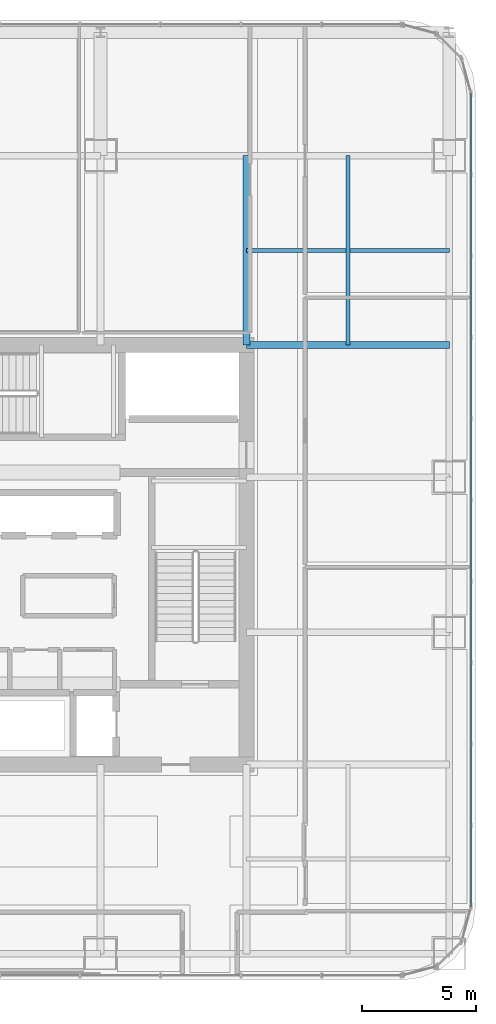
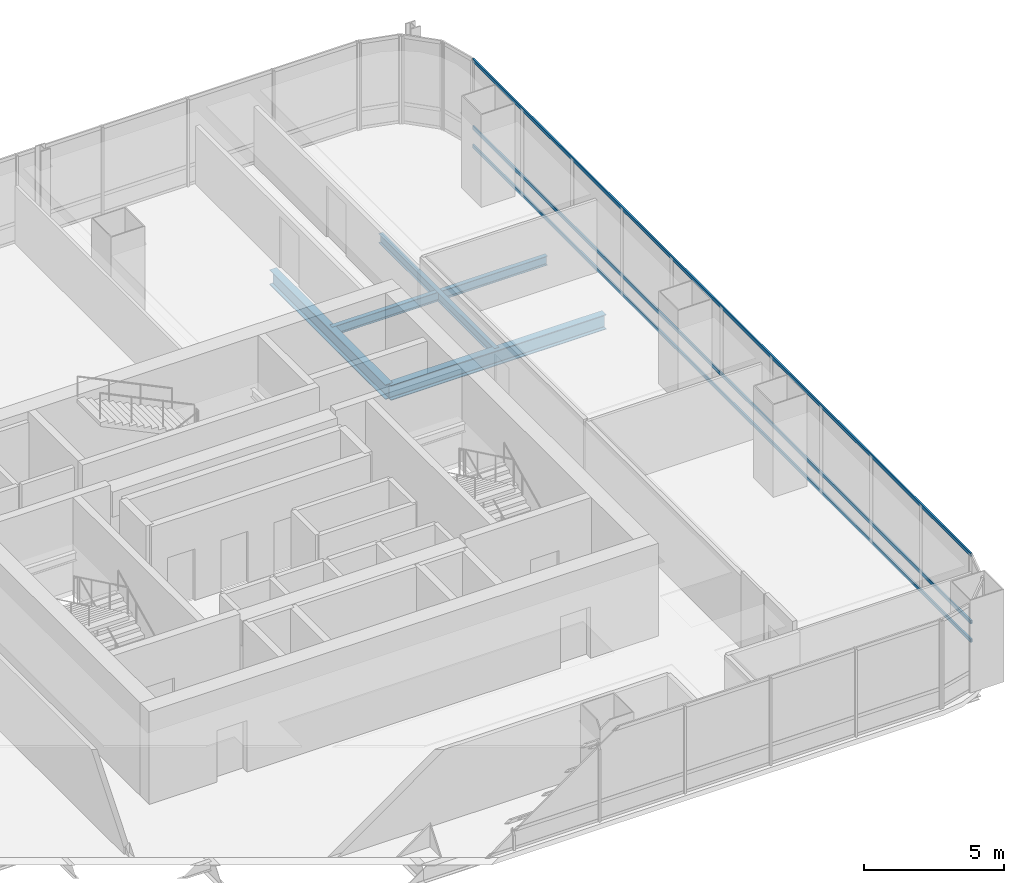
# One storey, part 17 of 38: 4 beams, 3 members, 1 element without a shape of its own.
"""IFC4 building model written with IfcOpenShell, lengths in metres."""

import ifcopenshell
import ifcopenshell.guid

model = None  # the IFC model being written
_history = None  # IfcOwnerHistory: only IFC2X3 demands one
_inside = {}  # id of a spatial element -> (the spatial element, [elements in it])
_under = {}  # id of a project, library or spatial element -> (it, [spatial elements below it])
_declared = {}  # id of a project -> (the project, [libraries it declares])
_typed = {}  # id of a type object -> (the type object, [elements of that type])
_made_of = {}  # id of a material, layer set ... -> (it, [elements and type objects made of it])


def new_model(schema):
    """Start an empty IFC model of exactly this schema.

    Asked for "IFC4X3", IfcOpenShell would pick the latest addendum, in which some entities
    have other attributes; the version numbers below select the first issue.
    IFC2X3 requires an IfcOwnerHistory on every rooted entity: one is made here for all.
    """
    global model, _history
    if schema == "IFC4X3":
        model = ifcopenshell.file(schema_version=(4, 3, 0, 0))
    else:
        model = ifcopenshell.file(schema=schema)
    _inside.clear()
    _under.clear()
    _declared.clear()
    _typed.clear()
    _made_of.clear()
    _history = None
    if model.schema == "IFC2X3":
        org = make("IfcOrganization", Name="unknown")
        user = make(
            "IfcPersonAndOrganization",
            ThePerson=make("IfcPerson", FamilyName="unknown"),
            TheOrganization=org,
        )
        app = make(
            "IfcApplication",
            ApplicationDeveloper=org,
            Version="unknown",
            ApplicationFullName="unknown",
            ApplicationIdentifier="unknown",
        )
        _history = make(
            "IfcOwnerHistory",
            OwningUser=user,
            OwningApplication=app,
            ChangeAction="ADDED",
            CreationDate=0,
        )
    return model


def make(cls, **values):
    """One entity of the class cls with the attributes given. An attribute that is None is left unset."""
    return model.create_entity(
        cls, **{name: value for name, value in values.items() if value is not None}
    )


def rooted(cls, **values):
    """An entity with a GlobalId (a new one), such as an element, a storey or a relation."""
    return make(cls, GlobalId=ifcopenshell.guid.new(), OwnerHistory=_history, **values)


def si_unit(unit_type, name, prefix=None):
    """IfcSIUnit, for example si_unit("LENGTHUNIT", "METRE", prefix="MILLI")."""
    return make("IfcSIUnit", UnitType=unit_type, Prefix=prefix, Name=name)


def assignment(units):
    """IfcUnitAssignment: the units of a project."""
    return None if units is None else make("IfcUnitAssignment", Units=units)


def point(xyz):
    """IfcCartesianPoint."""
    return None if xyz is None else make("IfcCartesianPoint", Coordinates=xyz)


def direction(xyz):
    """IfcDirection."""
    return None if xyz is None else make("IfcDirection", DirectionRatios=xyz)


def frame(location, z_axis=None, x_axis=None):
    """IfcAxis2Placement3D, a coordinate frame: its origin and axes. An axis left out is left unset."""
    return make(
        "IfcAxis2Placement3D",
        Location=point(location),
        Axis=direction(z_axis),
        RefDirection=direction(x_axis),
    )


def frame_2d(location, x_axis=None):
    """IfcAxis2Placement2D, a coordinate frame in the plane: its origin and x axis."""
    return make(
        "IfcAxis2Placement2D", Location=point(location), RefDirection=direction(x_axis)
    )


def origin():
    """The frame at (0, 0, 0) with its axes left unset."""
    return frame((0.0, 0.0, 0.0))


def origin_2d():
    """The frame at (0, 0) in the plane with its x axis left unset."""
    return frame_2d((0.0, 0.0))


def place(relative_to, where):
    """IfcLocalPlacement: puts the frame where relative to a parent placement (None: the world)."""
    return make(
        "IfcLocalPlacement", PlacementRelTo=relative_to, RelativePlacement=where
    )


def context(
    kind, dimensions, precision=None, world=None, true_north=None, identifier=None
):
    """IfcGeometricRepresentationContext, for example the 3D "Model" context."""
    return make(
        "IfcGeometricRepresentationContext",
        ContextIdentifier=identifier,
        ContextType=kind,
        CoordinateSpaceDimension=dimensions,
        Precision=precision,
        WorldCoordinateSystem=world,
        TrueNorth=true_north,
    )


def subcontext(parent, identifier, kind, view, scale=None):
    """IfcGeometricRepresentationSubContext, for example "Body" below "Model"."""
    return make(
        "IfcGeometricRepresentationSubContext",
        ContextIdentifier=identifier,
        ContextType=kind,
        ParentContext=parent,
        TargetScale=scale,
        TargetView=view,
    )


def project(units=None, contexts=None):
    """IfcProject with its units and contexts."""
    return rooted(
        "IfcProject",
        Name="project",
        RepresentationContexts=contexts,
        UnitsInContext=assignment(units),
    )


def spatial(cls, under=None, at=None, **own):
    """A site, building, storey or space (cls), placed at a placement, below another one or the project."""
    s = rooted(cls, ObjectPlacement=at, **own)
    if under is not None:
        _under.setdefault(under.id(), (under, []))[1].append(s)
    return s


def profile(cls, at=None, kind="AREA", **sizes):
    """A parametric profile (cls). Its sizes go by their IFC names, for example OverallWidth=200.0."""
    return make(cls, ProfileType=kind, Position=at, **sizes)


def hollow_rectangle(**sizes):
    """IfcRectangleHollowProfileDef."""
    return profile("IfcRectangleHollowProfileDef", **sizes)


def i_section(**sizes):
    """IfcIShapeProfileDef."""
    return profile("IfcIShapeProfileDef", **sizes)


def extrude(swept, where, along, depth):
    """IfcExtrudedAreaSolid: the profile swept, set in the frame where, extruded along a direction by depth."""
    return make(
        "IfcExtrudedAreaSolid",
        SweptArea=swept,
        Position=where,
        ExtrudedDirection=direction(along),
        Depth=depth,
    )


def shape(context_of_items, identifier, shape_type, items):
    """IfcShapeRepresentation: the items that make up one representation, for example the "Body"."""
    return make(
        "IfcShapeRepresentation",
        ContextOfItems=context_of_items,
        RepresentationIdentifier=identifier,
        RepresentationType=shape_type,
        Items=items,
    )


def material(Name=None, Category=None):
    """IfcMaterial."""
    return make("IfcMaterial", Name=Name, Category=Category)


def material_profile(
    of_material, cross_section, Name=None, Category=None, Priority=None
):
    """IfcMaterialProfile: a cross section and its material."""
    return make(
        "IfcMaterialProfile",
        Name=Name,
        Material=of_material,
        Profile=cross_section,
        Priority=Priority,
        Category=Category,
    )


def profile_set(profiles, Name=None, composite=None):
    """IfcMaterialProfileSet."""
    return make(
        "IfcMaterialProfileSet",
        Name=Name,
        MaterialProfiles=profiles,
        CompositeProfile=composite,
    )


def made_of(thing, what):
    """Note that an element or type object is made of a material, layer set ...; save() writes the relation."""
    if what is not None:
        _made_of.setdefault(what.id(), (what, []))[1].append(thing)
    return thing


def type_object(cls, material=None, **own):
    """A type object (cls), such as IfcWallType, which elements share."""
    return made_of(rooted(cls, **own), material)


def element(
    cls,
    number,
    at=None,
    inside=None,
    cuts=None,
    type_object=None,
    material=None,
    context=None,
    identifier="Body",
    shape_type=None,
    held_by="IfcProductDefinitionShape",
    body=None,
    shapes=None,
    **own,
):
    """One element of the class cls, such as IfcWall. Its Tag is "e" and its number.

    at: its placement. inside: the storey or other place that contains it. cuts: it is an
    opening in that element (IfcRelVoidsElement). A single representation is given by context,
    identifier, shape_type and body (its items); several are given by shapes. held_by: the class
    of the entity that holds the representations. save() writes the other relations.
    """
    e = rooted(cls, Tag="e%d" % number, ObjectPlacement=at, **own)
    if body is not None:
        shapes = [shape(context, identifier, shape_type, body)]
    if shapes is not None:
        e.Representation = make(held_by, Representations=shapes)
    if inside is not None:
        _inside.setdefault(inside.id(), (inside, []))[1].append(e)
    if cuts is not None:
        rooted(
            "IfcRelVoidsElement", RelatingBuildingElement=cuts, RelatedOpeningElement=e
        )
    if type_object is not None:
        _typed.setdefault(type_object.id(), (type_object, []))[1].append(e)
    return made_of(e, material)


def aggregate(whole, parts):
    """IfcRelAggregates: a whole, such as a stair, and the parts it consists of."""
    return rooted("IfcRelAggregates", RelatingObject=whole, RelatedObjects=parts)


def save(model, path):
    """Write the relations noted so far, then the file.

    IfcRelAggregates (storeys below a building ...), IfcRelContainedInSpatialStructure (elements
    in a storey), IfcRelDefinesByType, IfcRelAssociatesMaterial and IfcRelDeclares: one each for
    every whole, place, type object, material and project.
    """
    for whole, parts in _under.values():
        aggregate(whole, parts)
    for where, things in _inside.values():
        rooted(
            "IfcRelContainedInSpatialStructure",
            RelatedElements=things,
            RelatingStructure=where,
        )
    for kind, things in _typed.values():
        rooted("IfcRelDefinesByType", RelatedObjects=things, RelatingType=kind)
    for what, things in _made_of.values():
        rooted("IfcRelAssociatesMaterial", RelatedObjects=things, RelatingMaterial=what)
    for by, libraries in _declared.values():
        rooted("IfcRelDeclares", RelatingContext=by, RelatedDefinitions=libraries)
    model.write(path)


model = new_model("IFC4")

# Units and contexts
model_context = context("Model", 3, precision=1e-05, world=origin(), true_north=direction((0.0, 1.0)))
body_context = subcontext(model_context, "Body", "Model", "MODEL_VIEW")
ifc_project = project(units=[si_unit("LENGTHUNIT", "METRE"), si_unit("AREAUNIT", "SQUARE_METRE"), si_unit("VOLUMEUNIT", "CUBIC_METRE"), si_unit("PLANEANGLEUNIT", "RADIAN"), si_unit("MASSUNIT", "GRAM", prefix="KILO")], contexts=[model_context])

# Site, building, storey
site_placement = place(None, origin())
site = spatial("IfcSite", under=ifc_project, at=site_placement, CompositionType="ELEMENT")
building_placement = place(site_placement, origin())
building = spatial("IfcBuilding", under=site, at=building_placement, Name="Punatoya Terracotta Tower", CompositionType="ELEMENT")
storey_placement = place(building_placement, frame((0.0, 0.0, 160.050048828125)))
storey = spatial("IfcBuildingStorey", under=building, at=storey_placement, Name="L37", CompositionType="ELEMENT", Elevation=160.050048828125)

# Beams
ifc_material_1 = material(Name="Steel S355", Category="steel")
ifc_material_profile_1 = material_profile(ifc_material_1, i_section(OverallWidth=0.300048828125, OverallDepth=0.64990234375, WebThickness=0.01611328125, FlangeThickness=0.031005859375, FilletRadius=0.01806640625, at=origin_2d()))
ifc_profile_set_1 = profile_set([ifc_material_profile_1], Name="Steel S355")
beam_type_1 = type_object("IfcBeamType", Name="BM-PRI-650", PredefinedType="BEAM", material=ifc_profile_set_1)
beam_1_placement = place(storey_placement, frame((10.199951171875, 9.199951171875, -0.545166015625), z_axis=(1.0, 0.0, 0.0), x_axis=(0.0, 1.0, 0.0)))
element("IfcBeam", 1, at=beam_1_placement, inside=storey, type_object=beam_type_1, Name="BM-L37-PR-EN", PredefinedType="BEAM", context=body_context, shape_type="SweptSolid", body=[
    extrude(i_section(OverallWidth=0.300048828125, OverallDepth=0.64990234375, WebThickness=0.01611328125, FlangeThickness=0.031005859375, FilletRadius=0.01806640625, at=origin_2d()), origin(), (0.0, 0.0, 1.0), 8.900146484375),
])
beam_2_placement = place(storey_placement, frame((10.199951171875, 9.199951171875, -0.545166015625), z_axis=(0.0, 1.0, 0.0), x_axis=(-1.0, 0.0, 0.0)))
element("IfcBeam", 2, at=beam_2_placement, inside=storey, type_object=beam_type_1, Name="BM-L37-PR-N4", PredefinedType="BEAM", context=body_context, shape_type="SweptSolid", body=[
    extrude(i_section(OverallWidth=0.300048828125, OverallDepth=0.64990234375, WebThickness=0.01611328125, FlangeThickness=0.031005859375, FilletRadius=0.01806640625, at=origin_2d()), origin(), (0.0, 0.0, 1.0), 8.300048828125),
])
ifc_material_profile_2 = material_profile(ifc_material_1, i_section(OverallWidth=0.179931640625, OverallDepth=0.39990234375, WebThickness=0.008544921875, FlangeThickness=0.013427734375, FilletRadius=0.01806640625, at=origin_2d()))
ifc_profile_set_2 = profile_set([ifc_material_profile_2], Name="Steel S355")
beam_type_2 = type_object("IfcBeamType", Name="BM-SEC-400", PredefinedType="JOIST", material=ifc_profile_set_2)
beam_3_placement = place(storey_placement, frame((10.199951171875, 13.35009765625, -0.420166015625), z_axis=(1.0, 0.0, 0.0), x_axis=(0.0, 1.0, 0.0)))
element("IfcBeam", 3, at=beam_3_placement, inside=storey, type_object=beam_type_2, Name="BM-L37-SJN-2", PredefinedType="JOIST", context=body_context, shape_type="SweptSolid", body=[
    extrude(i_section(OverallWidth=0.179931640625, OverallDepth=0.39990234375, WebThickness=0.008544921875, FlangeThickness=0.013427734375, FilletRadius=0.01806640625, at=origin_2d()), origin(), (0.0, 0.0, 1.0), 8.900146484375),
])
beam_4_placement = place(storey_placement, frame((14.64990234375, 9.199951171875, -0.420166015625), z_axis=(0.0, 1.0, 0.0), x_axis=(-1.0, 0.0, 0.0)))
element("IfcBeam", 4, at=beam_4_placement, inside=storey, type_object=beam_type_2, Name="BM-L37-SJE-2", PredefinedType="JOIST", context=body_context, shape_type="SweptSolid", body=[
    extrude(i_section(OverallWidth=0.179931640625, OverallDepth=0.39990234375, WebThickness=0.008544921875, FlangeThickness=0.013427734375, FilletRadius=0.01806640625, at=origin_2d()), origin(), (0.0, 0.0, 1.0), 8.300048828125),
])

# Curtain wall, members
ifc_material_2 = material(Name="Aluminium 6063-T6 + Double Low-E Glass", Category="aluminium")
curtain_wall_type = type_object("IfcCurtainWallType", Name="CW-M2", PredefinedType="NOTDEFINED", material=ifc_material_2)
curtain_wall_placement = place(storey_placement, origin())
curtain_wall = element("IfcCurtainWall", 5, at=curtain_wall_placement, inside=storey, type_object=curtain_wall_type, Name="L37 Curtain Wall CW-L37-E05-1", PredefinedType="NOTDEFINED")
ifc_material_3 = material(Name="Aluminium 6063-T6", Category="aluminium")
ifc_material_profile_3 = material_profile(ifc_material_3, hollow_rectangle(XDim=0.068115234375, YDim=0.14990234375, WallThickness=0.00390625, at=origin_2d()))
ifc_profile_set_3 = profile_set([ifc_material_profile_3], Name="Aluminium 6063-T6")
member_type = type_object("IfcMemberType", Name="CW-TRN-TYP", PredefinedType="USERDEFINED", material=ifc_profile_set_3)
member_1_placement = place(storey_placement, frame((20.050048828125, -15.43701171875, 0.0400390625), z_axis=(0.0, 1.0, 0.0), x_axis=(-1.0, 0.0, 0.0)))
member_1 = element("IfcMember", 6, at=member_1_placement, type_object=member_type, Name="CW-L37-E05-1 Transom 1", ObjectType="TRANSOM", PredefinedType="USERDEFINED", context=body_context, shape_type="SweptSolid", body=[
    extrude(hollow_rectangle(XDim=0.068115234375, YDim=0.14990234375, WallThickness=0.00390625, at=origin_2d()), origin(), (0.0, 0.0, 1.0), 35.673828125),
])
member_2_placement = place(storey_placement, frame((20.050048828125, -15.43701171875, 0.849853515625), z_axis=(0.0, 1.0, 0.0), x_axis=(-1.0, 0.0, 0.0)))
member_2 = element("IfcMember", 7, at=member_2_placement, type_object=member_type, Name="CW-L37-E05-1 Transom 2", ObjectType="TRANSOM", PredefinedType="USERDEFINED", context=body_context, shape_type="SweptSolid", body=[
    extrude(hollow_rectangle(XDim=0.068115234375, YDim=0.14990234375, WallThickness=0.00390625, at=origin_2d()), origin(), (0.0, 0.0, 1.0), 35.673828125),
])
member_3_placement = place(storey_placement, frame((20.050048828125, -15.43701171875, 3.7900390625), z_axis=(0.0, 1.0, 0.0), x_axis=(-1.0, 0.0, 0.0)))
member_3 = element("IfcMember", 8, at=member_3_placement, type_object=member_type, Name="CW-L37-E05-1 Transom 3", ObjectType="TRANSOM", PredefinedType="USERDEFINED", context=body_context, shape_type="SweptSolid", body=[
    extrude(hollow_rectangle(XDim=0.068115234375, YDim=0.14990234375, WallThickness=0.00390625, at=origin_2d()), origin(), (0.0, 0.0, 1.0), 35.673828125),
])
aggregate(curtain_wall, [member_1, member_2, member_3])

save(model, "model.ifc")
